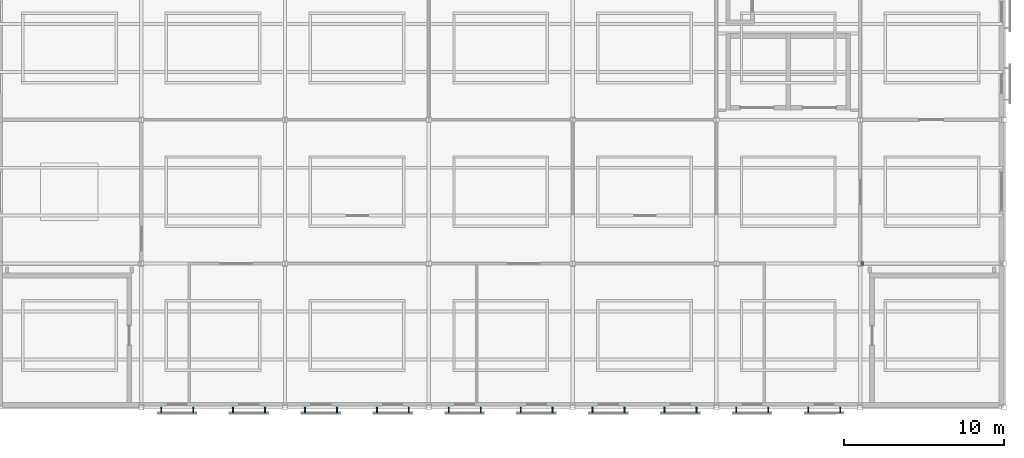
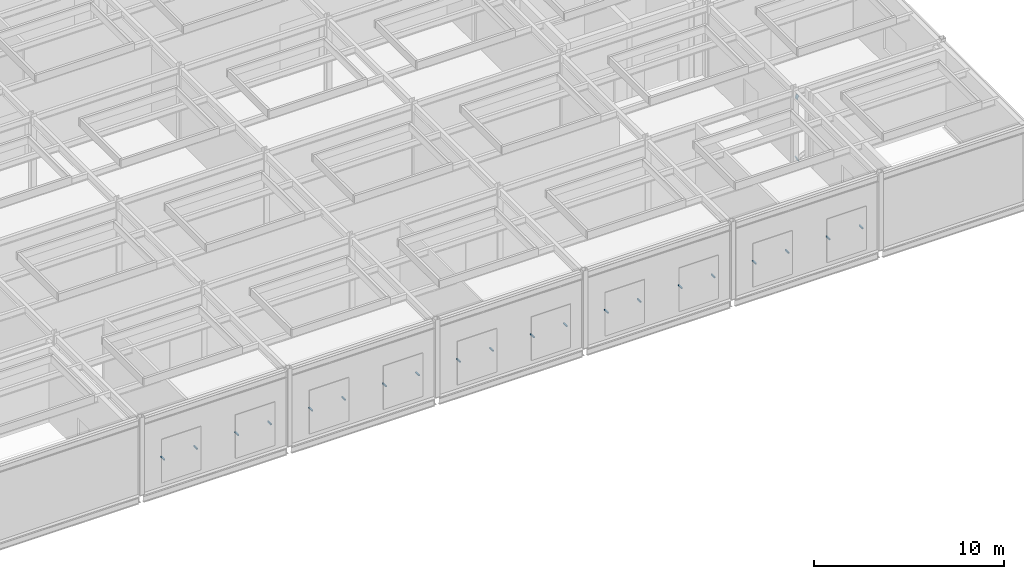
# One storey, part 99 of 115: 22 discrete accessories.
"""IFC4 building model written with IfcOpenShell, lengths in metres."""

from ifc_helpers import new_model, si_unit, direction, frame, origin, origin_2d, place, context, subcontext, project, spatial, polyline, rectangle, outline, extrude, material, layer, layer_set, type_object, element, save


model = new_model("IFC4")

# Units and contexts
model_context = context("Model", 3, precision=1e-05, world=origin(), true_north=direction((0.0, 1.0)))
body_context = subcontext(model_context, "Body", "Model", "MODEL_VIEW")
ifc_project = project(units=[si_unit("LENGTHUNIT", "METRE"), si_unit("AREAUNIT", "SQUARE_METRE"), si_unit("VOLUMEUNIT", "CUBIC_METRE"), si_unit("PLANEANGLEUNIT", "RADIAN"), si_unit("MASSUNIT", "GRAM", prefix="KILO")], contexts=[model_context])

# Site, building, storey
site_placement = place(None, origin())
site = spatial("IfcSite", under=ifc_project, at=site_placement, CompositionType="ELEMENT")
building_placement = place(site_placement, origin())
building = spatial("IfcBuilding", under=site, at=building_placement, Name="Shorebreak Coast Museum", CompositionType="ELEMENT")
storey_placement = place(building_placement, frame((0.0, 0.0, 11.0)))
storey = spatial("IfcBuildingStorey", under=building, at=storey_placement, Name="L02", CompositionType="ELEMENT", Elevation=11.0)

# Discrete accessories
ifc_material_1 = material(Name="Steel Grade 300", Category="steel")
ifc_layer = layer(ifc_material_1, 0.02490234375)
ifc_layer_set = layer_set([ifc_layer], Name="Steel Grade 300")
discrete_accessory_type_1 = type_object("IfcDiscreteAccessoryType", Name="End plate 250 x 250 x 25", PredefinedType="BRACKET", material=ifc_layer_set)
discrete_accessory_1_placement = place(storey_placement, frame((108.20556640625, 8.875, 0.186279296875), z_axis=(0.909495559707, 0.0, 0.41571363566), x_axis=(0.0, 1.0, 0.0)))
element("IfcDiscreteAccessory", 1, at=discrete_accessory_1_placement, inside=storey, type_object=discrete_accessory_type_1, Name="End plate X-brace bay 14 L02 diagonal 1 end 1", PredefinedType="BRACKET", context=body_context, shape_type="SweptSolid", body=[
    extrude(outline(polyline([(0.0, 0.0), (0.25, 0.0), (0.25, 0.2501816089936223), (0.0, 0.2501816089936223), (0.0, 0.0)])), origin(), (0.0, 0.0, -1.0), 0.02490234375),
])
discrete_accessory_2_placement = place(storey_placement, frame((108.078857421875, 9.125, 4.171630859375), z_axis=(-0.909864310999, 0.0, 0.41490593581), x_axis=(0.0, -1.0, 0.0)))
element("IfcDiscreteAccessory", 2, at=discrete_accessory_2_placement, inside=storey, type_object=discrete_accessory_type_1, Name="End plate X-brace bay 14 L02 diagonal 2 end 2", PredefinedType="BRACKET", context=body_context, shape_type="SweptSolid", body=[
    extrude(outline(polyline([(0.0, 0.0), (0.25, 0.0), (0.25, 0.2500802149829807), (0.0, 0.2500802149829807), (0.0, 0.0)])), origin(), (0.0, 0.0, -1.0), 0.02490234375),
])
ifc_material_2 = material(Name="Aluminium", Category="aluminium")
discrete_accessory_type_2 = type_object("IfcDiscreteAccessoryType", Name="Fixing bracket 80 x 350", PredefinedType="BRACKET", material=ifc_material_2)
for number, where, z_axis, x_axis, name in (
    (3, (64.25, -0.175048828125, 1.909912109375), (0.0, 0.0, 1.0), (1.0, 0.0, 0.0), "Fixing bracket"),
    (4, (66.25, -0.175048828125, 1.909912109375), (0.0, 0.0, 1.0), (1.0, 0.0, 0.0), "Fixing bracket"),
    (5, (68.75, -0.175048828125, 1.909912109375), (0.0, 0.0, 1.0), (1.0, 0.0, 0.0), "Fixing bracket"),
    (6, (70.75, -0.175048828125, 1.909912109375), (0.0, 0.0, 1.0), (1.0, 0.0, 0.0), "Fixing bracket"),
    (7, (73.25, -0.175048828125, 1.909912109375), (0.0, 0.0, 1.0), (1.0, 0.0, 0.0), "Fixing bracket"),
    (8, (75.25, -0.175048828125, 1.909912109375), (0.0, 0.0, 1.0), (1.0, 0.0, 0.0), "Fixing bracket"),
    (9, (77.75, -0.175048828125, 1.909912109375), (0.0, 0.0, 1.0), (1.0, 0.0, 0.0), "Fixing bracket"),
    (10, (79.75, -0.175048828125, 1.909912109375), (0.0, 0.0, 1.0), (1.0, 0.0, 0.0), "Fixing bracket"),
    (11, (82.25, -0.175048828125, 1.909912109375), (0.0, 0.0, 1.0), (1.0, 0.0, 0.0), "Fixing bracket"),
    (12, (84.25, -0.175048828125, 1.909912109375), (0.0, 0.0, 1.0), (1.0, 0.0, 0.0), "Fixing bracket"),
    (13, (86.75, -0.175048828125, 1.909912109375), (0.0, 0.0, 1.0), (1.0, 0.0, 0.0), "Fixing bracket"),
    (14, (88.75, -0.175048828125, 1.909912109375), (0.0, 0.0, 1.0), (1.0, 0.0, 0.0), "Fixing bracket"),
    (15, (91.25, -0.175048828125, 1.909912109375), (0.0, 0.0, 1.0), (1.0, 0.0, 0.0), "Fixing bracket"),
    (16, (93.25, -0.175048828125, 1.909912109375), (0.0, 0.0, 1.0), (1.0, 0.0, 0.0), "Fixing bracket"),
    (17, (95.75, -0.175048828125, 1.909912109375), (0.0, 0.0, 1.0), (1.0, 0.0, 0.0), "Fixing bracket"),
    (18, (97.75, -0.175048828125, 1.909912109375), (0.0, 0.0, 1.0), (1.0, 0.0, 0.0), "Fixing bracket"),
    (19, (100.25, -0.175048828125, 1.909912109375), (0.0, 0.0, 1.0), (1.0, 0.0, 0.0), "Fixing bracket"),
    (20, (102.25, -0.175048828125, 1.909912109375), (0.0, 0.0, 1.0), (1.0, 0.0, 0.0), "Fixing bracket"),
    (21, (104.75, -0.175048828125, 1.909912109375), (0.0, 0.0, 1.0), (1.0, 0.0, 0.0), "Fixing bracket"),
    (22, (106.75, -0.175048828125, 1.909912109375), (0.0, 0.0, 1.0), (1.0, 0.0, 0.0), "Fixing bracket"),
):
    element("IfcDiscreteAccessory", number, at=place(storey_placement, frame(where, z_axis=z_axis, x_axis=x_axis)), inside=storey, type_object=discrete_accessory_type_2, Name=name, PredefinedType="BRACKET", context=body_context, shape_type="SweptSolid", body=[
        extrude(rectangle(XDim=0.080078125, YDim=0.35009765625, at=origin_2d()), origin(), (0.0, 0.0, 1.0), 0.080078125),
    ])

save(model, "model.ifc")
